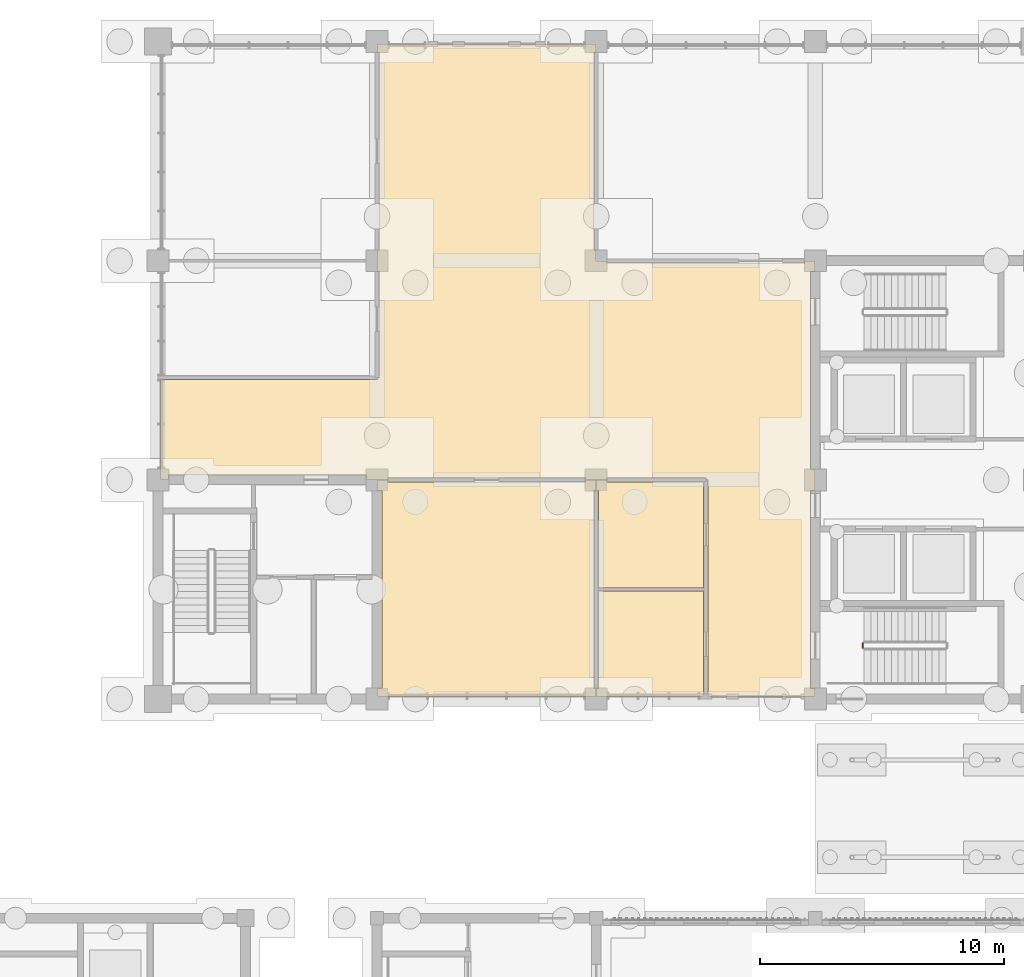
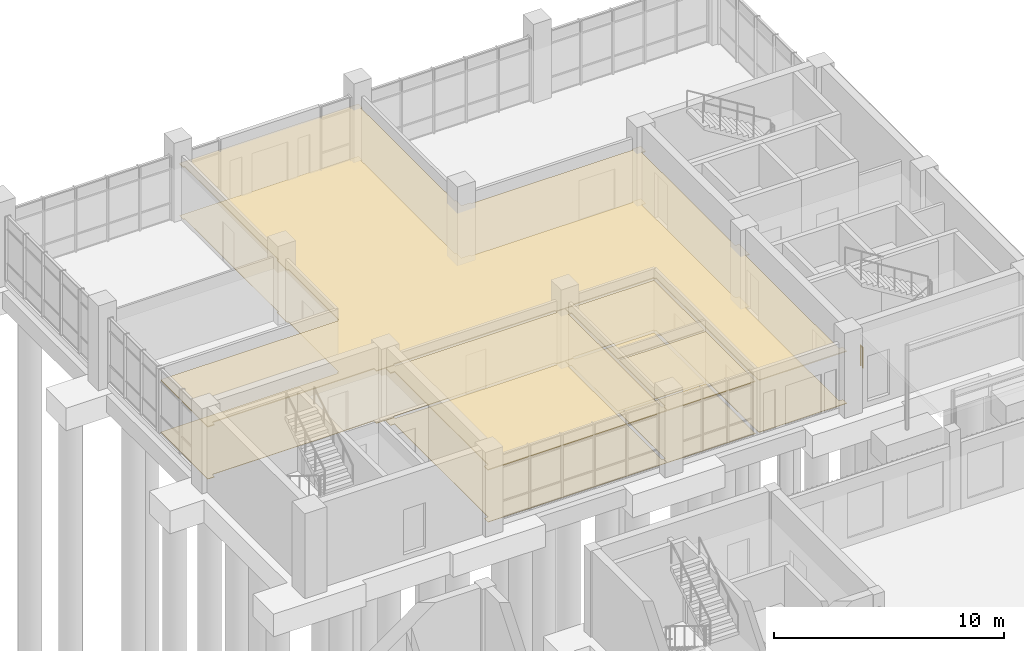
# One storey, part 102 of 106: 8 coverings, 1 railing.
"""IFC4 building model written with IfcOpenShell, lengths in metres."""

from ifc_helpers import new_model, si_unit, direction, frame, origin, origin_2d, place, context, subcontext, project, spatial, polyline, circle, outline, extrude, material, layer, layer_set, type_object, element, save


model = new_model("IFC4")

# Units and contexts
model_context = context("Model", 3, precision=1e-05, world=origin(), true_north=direction((0.0, 1.0)))
body_context = subcontext(model_context, "Body", "Model", "MODEL_VIEW")
ifc_project = project(units=[si_unit("LENGTHUNIT", "METRE"), si_unit("AREAUNIT", "SQUARE_METRE"), si_unit("VOLUMEUNIT", "CUBIC_METRE"), si_unit("PLANEANGLEUNIT", "RADIAN"), si_unit("MASSUNIT", "GRAM", prefix="KILO")], contexts=[model_context])

# Site, building, storey
site_placement = place(None, origin())
site = spatial("IfcSite", under=ifc_project, at=site_placement, CompositionType="ELEMENT")
building_placement = place(site_placement, origin())
building = spatial("IfcBuilding", under=site, at=building_placement, Name="Merrow Basin Faculty of Sciences", CompositionType="ELEMENT")
storey_placement = place(building_placement, origin())
storey = spatial("IfcBuildingStorey", under=building, at=storey_placement, Name="L00", CompositionType="ELEMENT", Elevation=0.0)

# Coverings
ifc_material_1 = material(Name="Carpet tile floor")
ifc_layer_1 = layer(ifc_material_1, 0.02001953125)
ifc_layer_set_1 = layer_set([ifc_layer_1], Name="Carpet tile floor")
covering_type_1 = type_object("IfcCoveringType", Name="Carpet tile floor", PredefinedType="FLOORING", material=ifc_layer_set_1)
covering_1_placement = place(storey_placement, origin())
element("IfcCovering", 1, at=covering_1_placement, inside=storey, type_object=covering_type_1, Name="Floor finish L00-T-015", PredefinedType="FLOORING", context=body_context, shape_type="SweptSolid", body=[
    extrude(outline(polyline([(27.43994140625, 150.989990234375), (27.43994140625, 150.9150390625), (35.56005859375, 150.9150390625), (35.56005859375, 150.989990234375), (35.989990234375, 150.989990234375), (35.989990234375, 150.56005859375), (35.9150390625, 150.56005859375), (35.9150390625, 142.43994140625), (35.989990234375, 142.43994140625), (35.989990234375, 142.110107421875), (27.010009765625, 142.110107421875), (27.010009765625, 142.43994140625), (27.2099609375, 142.43994140625), (27.2099609375, 150.56005859375), (27.010009765625, 150.56005859375), (27.010009765625, 150.989990234375), (27.43994140625, 150.989990234375)])), origin(), (0.0, 0.0, 1.0), 0.02001953125),
])
ifc_material_2 = material(Name="Ceramic floor tile")
ifc_layer_2 = layer(ifc_material_2, 0.02001953125)
ifc_layer_set_2 = layer_set([ifc_layer_2], Name="Ceramic floor tile")
covering_type_2 = type_object("IfcCoveringType", Name="Ceramic floor tile", PredefinedType="FLOORING", material=ifc_layer_set_2)
covering_2_placement = place(storey_placement, origin())
element("IfcCovering", 2, at=covering_2_placement, inside=storey, type_object=covering_type_2, Name="Floor finish L00-T-012", PredefinedType="FLOORING", context=body_context, shape_type="SweptSolid", body=[
    extrude(outline(polyline([(36.010009765625, 142.110107421875), (36.010009765625, 142.43994140625), (36.0849609375, 142.43994140625), (36.0849609375, 146.43994140625), (40.4150390625, 146.43994140625), (40.4150390625, 142.110107421875), (36.010009765625, 142.110107421875)])), origin(), (0.0, 0.0, 1.0), 0.02001953125),
])
covering_3_placement = place(storey_placement, origin())
element("IfcCovering", 3, at=covering_3_placement, inside=storey, type_object=covering_type_2, Name="Floor finish L00-T-013", PredefinedType="FLOORING", context=body_context, shape_type="SweptSolid", body=[
    extrude(outline(polyline([(36.010009765625, 150.989990234375), (36.43994140625, 150.989990234375), (36.43994140625, 150.9150390625), (40.4150390625, 150.9150390625), (40.4150390625, 146.56005859375), (36.0849609375, 146.56005859375), (36.0849609375, 150.56005859375), (36.010009765625, 150.56005859375), (36.010009765625, 150.989990234375)])), origin(), (0.0, 0.0, 1.0), 0.02001953125),
])
ifc_material_3 = material(Name="Polished terrazzo floor")
ifc_layer_3 = layer(ifc_material_3, 0.02001953125)
ifc_layer_set_3 = layer_set([ifc_layer_3], Name="Polished terrazzo floor")
covering_type_3 = type_object("IfcCoveringType", Name="Polished terrazzo floor", PredefinedType="FLOORING", material=ifc_layer_set_3)
covering_4_placement = place(storey_placement, origin())
element("IfcCovering", 4, at=covering_4_placement, inside=storey, type_object=covering_type_3, Name="Floor finish L00-T-014", PredefinedType="FLOORING", context=body_context, shape_type="SweptSolid", body=[
    extrude(outline(polyline([(26.56005859375, 151.010009765625), (26.56005859375, 151.2099609375), (18.43994140625, 151.2099609375), (18.43994140625, 151.010009765625), (18.110107421875, 151.010009765625), (18.110107421875, 155.114990234375), (27.010009765625, 155.114990234375), (27.010009765625, 155.18994140625), (27.0849609375, 155.18994140625), (27.0849609375, 159.56005859375), (27.010009765625, 159.56005859375), (27.010009765625, 160.43994140625), (27.0849609375, 160.43994140625), (27.0849609375, 168.56005859375), (27.010009765625, 168.56005859375), (27.010009765625, 168.889892578125), (35.989990234375, 168.889892578125), (35.989990234375, 168.56005859375), (35.9150390625, 168.56005859375), (35.9150390625, 160.43994140625), (35.989990234375, 160.43994140625), (35.989990234375, 159.989990234375), (36.43994140625, 159.989990234375), (36.43994140625, 159.9150390625), (44.56005859375, 159.9150390625), (44.56005859375, 159.989990234375), (44.989990234375, 159.989990234375), (44.989990234375, 159.56005859375), (44.7900390625, 159.56005859375), (44.7900390625, 151.43994140625), (44.989990234375, 151.43994140625), (44.989990234375, 150.56005859375), (44.7900390625, 150.56005859375), (44.7900390625, 142.43994140625), (44.989990234375, 142.43994140625), (44.989990234375, 142.110107421875), (40.5849609375, 142.110107421875), (40.5849609375, 151.010009765625), (40.510009765625, 151.010009765625), (40.510009765625, 151.0849609375), (36.43994140625, 151.0849609375), (36.43994140625, 151.010009765625), (35.56005859375, 151.010009765625), (35.56005859375, 151.0849609375), (27.43994140625, 151.0849609375), (27.43994140625, 151.010009765625), (26.56005859375, 151.010009765625)])), origin(), (0.0, 0.0, 1.0), 0.02001953125),
])

# Railing
ifc_material_4 = material(Name="Steel ASTM A36", Category="steel")
railing_type = type_object("IfcRailingType", Name="Steel guard 1100", PredefinedType="GUARDRAIL", material=ifc_material_4)
railing_placement = place(storey_placement, frame((46.949951171875, 144.10009765625, 0.0)))
element("IfcRailing", 5, at=railing_placement, inside=storey, type_object=railing_type, Name="L00 ST-V5-N stair guard 5", PredefinedType="GUARDRAIL", context=body_context, shape_type="SweptSolid", body=[
    extrude(circle(Radius=0.02392578125, at=origin_2d()), frame((0.0, 0.0, 1.076171875), z_axis=(0.0, 1.0, 0.0), x_axis=(-1.0, 0.0, 0.0)), (0.0, 0.0, 1.0), 0.199951171875),
    extrude(circle(Radius=0.02099609375, at=origin_2d()), origin(), (0.0, 0.0, 1.0), 1.052001953125),
    extrude(circle(Radius=0.02099609375, at=origin_2d()), frame((0.0, 0.199951171875, 0.0)), (0.0, 0.0, 1.0), 1.052001953125),
])

# Coverings
ifc_material_5 = material(Name="Mineral fibre ceiling tile")
ifc_layer_4 = layer(ifc_material_5, 0.050048828125)
ifc_layer_set_4 = layer_set([ifc_layer_4], Name="Suspended acoustic ceiling tile")
covering_type_4 = type_object("IfcCoveringType", Name="Suspended acoustic ceiling tile", PredefinedType="CEILING", material=ifc_layer_set_4)
covering_5_placement = place(storey_placement, frame((0.0, 0.0, 2.75)))
element("IfcCovering", 6, at=covering_5_placement, inside=storey, type_object=covering_type_4, Name="Ceiling L00-T-012", PredefinedType="CEILING", context=body_context, shape_type="SweptSolid", body=[
    extrude(outline(polyline([(36.010009765625, 142.110107421875), (36.010009765625, 142.43994140625), (36.0849609375, 142.43994140625), (36.0849609375, 146.43994140625), (40.4150390625, 146.43994140625), (40.4150390625, 142.110107421875), (36.010009765625, 142.110107421875)])), origin(), (0.0, 0.0, 1.0), 0.050048828125),
])
covering_6_placement = place(storey_placement, frame((0.0, 0.0, 2.75)))
element("IfcCovering", 7, at=covering_6_placement, inside=storey, type_object=covering_type_4, Name="Ceiling L00-T-013", PredefinedType="CEILING", context=body_context, shape_type="SweptSolid", body=[
    extrude(outline(polyline([(36.010009765625, 150.989990234375), (36.43994140625, 150.989990234375), (36.43994140625, 150.9150390625), (40.4150390625, 150.9150390625), (40.4150390625, 146.56005859375), (36.0849609375, 146.56005859375), (36.0849609375, 150.56005859375), (36.010009765625, 150.56005859375), (36.010009765625, 150.989990234375)])), origin(), (0.0, 0.0, 1.0), 0.050048828125),
])
covering_7_placement = place(storey_placement, frame((0.0, 0.0, 2.75)))
element("IfcCovering", 8, at=covering_7_placement, inside=storey, type_object=covering_type_4, Name="Ceiling L00-T-014", PredefinedType="CEILING", context=body_context, shape_type="SweptSolid", body=[
    extrude(outline(polyline([(26.56005859375, 151.010009765625), (26.56005859375, 151.2099609375), (18.43994140625, 151.2099609375), (18.43994140625, 151.010009765625), (18.110107421875, 151.010009765625), (18.110107421875, 155.114990234375), (27.010009765625, 155.114990234375), (27.010009765625, 155.18994140625), (27.0849609375, 155.18994140625), (27.0849609375, 159.56005859375), (27.010009765625, 159.56005859375), (27.010009765625, 160.43994140625), (27.0849609375, 160.43994140625), (27.0849609375, 168.56005859375), (27.010009765625, 168.56005859375), (27.010009765625, 168.889892578125), (35.989990234375, 168.889892578125), (35.989990234375, 168.56005859375), (35.9150390625, 168.56005859375), (35.9150390625, 160.43994140625), (35.989990234375, 160.43994140625), (35.989990234375, 159.989990234375), (36.43994140625, 159.989990234375), (36.43994140625, 159.9150390625), (44.56005859375, 159.9150390625), (44.56005859375, 159.989990234375), (44.989990234375, 159.989990234375), (44.989990234375, 159.56005859375), (44.7900390625, 159.56005859375), (44.7900390625, 151.43994140625), (44.989990234375, 151.43994140625), (44.989990234375, 150.56005859375), (44.7900390625, 150.56005859375), (44.7900390625, 142.43994140625), (44.989990234375, 142.43994140625), (44.989990234375, 142.110107421875), (40.5849609375, 142.110107421875), (40.5849609375, 151.010009765625), (40.510009765625, 151.010009765625), (40.510009765625, 151.0849609375), (36.43994140625, 151.0849609375), (36.43994140625, 151.010009765625), (35.56005859375, 151.010009765625), (35.56005859375, 151.0849609375), (27.43994140625, 151.0849609375), (27.43994140625, 151.010009765625), (26.56005859375, 151.010009765625)])), origin(), (0.0, 0.0, 1.0), 0.050048828125),
])
covering_8_placement = place(storey_placement, frame((0.0, 0.0, 2.75)))
element("IfcCovering", 9, at=covering_8_placement, inside=storey, type_object=covering_type_4, Name="Ceiling L00-T-015", PredefinedType="CEILING", context=body_context, shape_type="SweptSolid", body=[
    extrude(outline(polyline([(27.43994140625, 150.989990234375), (27.43994140625, 150.9150390625), (35.56005859375, 150.9150390625), (35.56005859375, 150.989990234375), (35.989990234375, 150.989990234375), (35.989990234375, 150.56005859375), (35.9150390625, 150.56005859375), (35.9150390625, 142.43994140625), (35.989990234375, 142.43994140625), (35.989990234375, 142.110107421875), (27.010009765625, 142.110107421875), (27.010009765625, 142.43994140625), (27.2099609375, 142.43994140625), (27.2099609375, 150.56005859375), (27.010009765625, 150.56005859375), (27.010009765625, 150.989990234375), (27.43994140625, 150.989990234375)])), origin(), (0.0, 0.0, 1.0), 0.050048828125),
])

save(model, "model.ifc")
